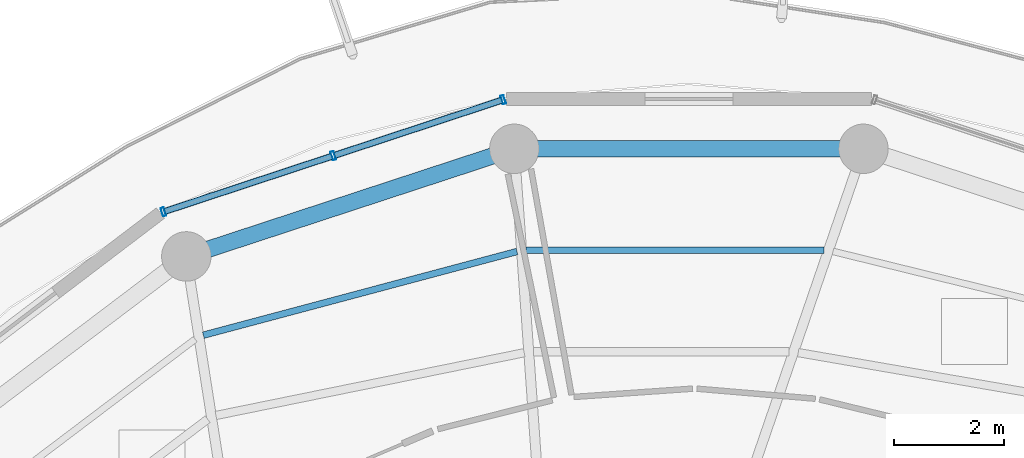
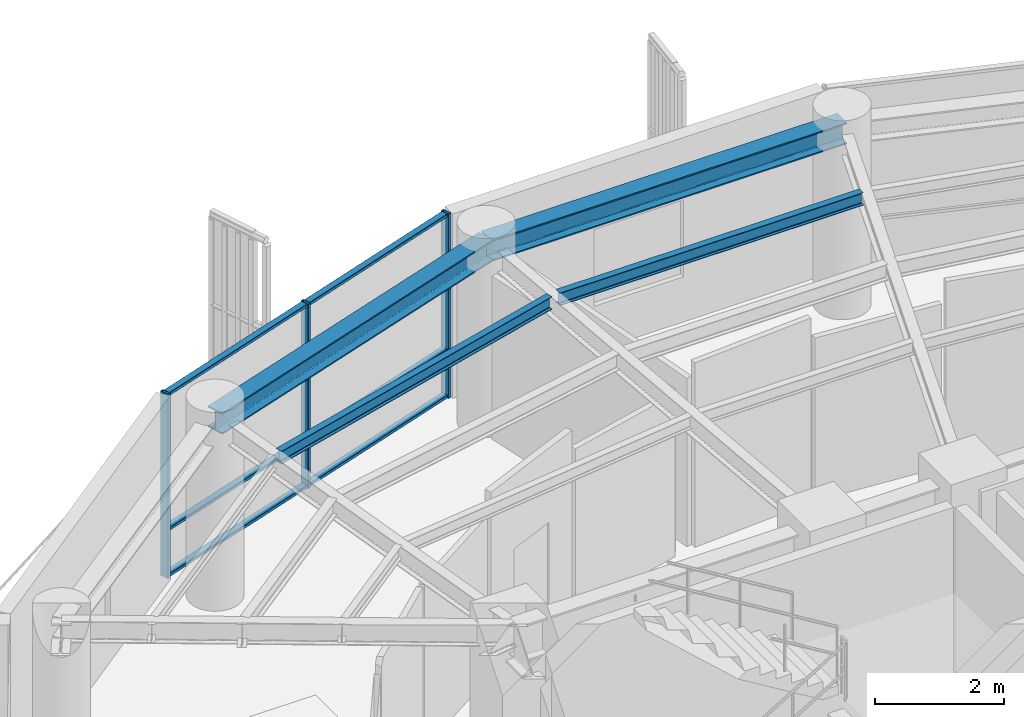
# One storey, part 13 of 23: 9 members, 4 beams, 1 element without a shape of its own.
"""IFC4 building model written with IfcOpenShell, lengths in metres."""

import ifcopenshell
import ifcopenshell.guid

model = None  # the IFC model being written
_history = None  # IfcOwnerHistory: only IFC2X3 demands one
_inside = {}  # id of a spatial element -> (the spatial element, [elements in it])
_under = {}  # id of a project, library or spatial element -> (it, [spatial elements below it])
_declared = {}  # id of a project -> (the project, [libraries it declares])
_typed = {}  # id of a type object -> (the type object, [elements of that type])
_made_of = {}  # id of a material, layer set ... -> (it, [elements and type objects made of it])


def new_model(schema):
    """Start an empty IFC model of exactly this schema.

    Asked for "IFC4X3", IfcOpenShell would pick the latest addendum, in which some entities
    have other attributes; the version numbers below select the first issue.
    IFC2X3 requires an IfcOwnerHistory on every rooted entity: one is made here for all.
    """
    global model, _history
    if schema == "IFC4X3":
        model = ifcopenshell.file(schema_version=(4, 3, 0, 0))
    else:
        model = ifcopenshell.file(schema=schema)
    _inside.clear()
    _under.clear()
    _declared.clear()
    _typed.clear()
    _made_of.clear()
    _history = None
    if model.schema == "IFC2X3":
        org = make("IfcOrganization", Name="unknown")
        user = make(
            "IfcPersonAndOrganization",
            ThePerson=make("IfcPerson", FamilyName="unknown"),
            TheOrganization=org,
        )
        app = make(
            "IfcApplication",
            ApplicationDeveloper=org,
            Version="unknown",
            ApplicationFullName="unknown",
            ApplicationIdentifier="unknown",
        )
        _history = make(
            "IfcOwnerHistory",
            OwningUser=user,
            OwningApplication=app,
            ChangeAction="ADDED",
            CreationDate=0,
        )
    return model


def make(cls, **values):
    """One entity of the class cls with the attributes given. An attribute that is None is left unset."""
    return model.create_entity(
        cls, **{name: value for name, value in values.items() if value is not None}
    )


def rooted(cls, **values):
    """An entity with a GlobalId (a new one), such as an element, a storey or a relation."""
    return make(cls, GlobalId=ifcopenshell.guid.new(), OwnerHistory=_history, **values)


def si_unit(unit_type, name, prefix=None):
    """IfcSIUnit, for example si_unit("LENGTHUNIT", "METRE", prefix="MILLI")."""
    return make("IfcSIUnit", UnitType=unit_type, Prefix=prefix, Name=name)


def assignment(units):
    """IfcUnitAssignment: the units of a project."""
    return None if units is None else make("IfcUnitAssignment", Units=units)


def point(xyz):
    """IfcCartesianPoint."""
    return None if xyz is None else make("IfcCartesianPoint", Coordinates=xyz)


def direction(xyz):
    """IfcDirection."""
    return None if xyz is None else make("IfcDirection", DirectionRatios=xyz)


def frame(location, z_axis=None, x_axis=None):
    """IfcAxis2Placement3D, a coordinate frame: its origin and axes. An axis left out is left unset."""
    return make(
        "IfcAxis2Placement3D",
        Location=point(location),
        Axis=direction(z_axis),
        RefDirection=direction(x_axis),
    )


def frame_2d(location, x_axis=None):
    """IfcAxis2Placement2D, a coordinate frame in the plane: its origin and x axis."""
    return make(
        "IfcAxis2Placement2D", Location=point(location), RefDirection=direction(x_axis)
    )


def origin():
    """The frame at (0, 0, 0) with its axes left unset."""
    return frame((0.0, 0.0, 0.0))


def origin_2d():
    """The frame at (0, 0) in the plane with its x axis left unset."""
    return frame_2d((0.0, 0.0))


def place(relative_to, where):
    """IfcLocalPlacement: puts the frame where relative to a parent placement (None: the world)."""
    return make(
        "IfcLocalPlacement", PlacementRelTo=relative_to, RelativePlacement=where
    )


def context(
    kind, dimensions, precision=None, world=None, true_north=None, identifier=None
):
    """IfcGeometricRepresentationContext, for example the 3D "Model" context."""
    return make(
        "IfcGeometricRepresentationContext",
        ContextIdentifier=identifier,
        ContextType=kind,
        CoordinateSpaceDimension=dimensions,
        Precision=precision,
        WorldCoordinateSystem=world,
        TrueNorth=true_north,
    )


def subcontext(parent, identifier, kind, view, scale=None):
    """IfcGeometricRepresentationSubContext, for example "Body" below "Model"."""
    return make(
        "IfcGeometricRepresentationSubContext",
        ContextIdentifier=identifier,
        ContextType=kind,
        ParentContext=parent,
        TargetScale=scale,
        TargetView=view,
    )


def project(units=None, contexts=None):
    """IfcProject with its units and contexts."""
    return rooted(
        "IfcProject",
        Name="project",
        RepresentationContexts=contexts,
        UnitsInContext=assignment(units),
    )


def spatial(cls, under=None, at=None, **own):
    """A site, building, storey or space (cls), placed at a placement, below another one or the project."""
    s = rooted(cls, ObjectPlacement=at, **own)
    if under is not None:
        _under.setdefault(under.id(), (under, []))[1].append(s)
    return s


def profile(cls, at=None, kind="AREA", **sizes):
    """A parametric profile (cls). Its sizes go by their IFC names, for example OverallWidth=200.0."""
    return make(cls, ProfileType=kind, Position=at, **sizes)


def hollow_rectangle(**sizes):
    """IfcRectangleHollowProfileDef."""
    return profile("IfcRectangleHollowProfileDef", **sizes)


def i_section(**sizes):
    """IfcIShapeProfileDef."""
    return profile("IfcIShapeProfileDef", **sizes)


def extrude(swept, where, along, depth):
    """IfcExtrudedAreaSolid: the profile swept, set in the frame where, extruded along a direction by depth."""
    return make(
        "IfcExtrudedAreaSolid",
        SweptArea=swept,
        Position=where,
        ExtrudedDirection=direction(along),
        Depth=depth,
    )


def shape(context_of_items, identifier, shape_type, items):
    """IfcShapeRepresentation: the items that make up one representation, for example the "Body"."""
    return make(
        "IfcShapeRepresentation",
        ContextOfItems=context_of_items,
        RepresentationIdentifier=identifier,
        RepresentationType=shape_type,
        Items=items,
    )


def material(Name=None, Category=None):
    """IfcMaterial."""
    return make("IfcMaterial", Name=Name, Category=Category)


def layer(
    of_material, thickness, ventilated=None, Name=None, Category=None, Priority=None
):
    """IfcMaterialLayer: one layer of a wall or slab, of a material (None: an air gap)."""
    return make(
        "IfcMaterialLayer",
        Material=of_material,
        LayerThickness=thickness,
        IsVentilated=ventilated,
        Name=Name,
        Category=Category,
        Priority=Priority,
    )


def layer_set(layers, Name=None):
    """IfcMaterialLayerSet."""
    return make("IfcMaterialLayerSet", MaterialLayers=layers, LayerSetName=Name)


def material_profile(
    of_material, cross_section, Name=None, Category=None, Priority=None
):
    """IfcMaterialProfile: a cross section and its material."""
    return make(
        "IfcMaterialProfile",
        Name=Name,
        Material=of_material,
        Profile=cross_section,
        Priority=Priority,
        Category=Category,
    )


def profile_set(profiles, Name=None, composite=None):
    """IfcMaterialProfileSet."""
    return make(
        "IfcMaterialProfileSet",
        Name=Name,
        MaterialProfiles=profiles,
        CompositeProfile=composite,
    )


def made_of(thing, what):
    """Note that an element or type object is made of a material, layer set ...; save() writes the relation."""
    if what is not None:
        _made_of.setdefault(what.id(), (what, []))[1].append(thing)
    return thing


def type_object(cls, material=None, **own):
    """A type object (cls), such as IfcWallType, which elements share."""
    return made_of(rooted(cls, **own), material)


def element(
    cls,
    number,
    at=None,
    inside=None,
    cuts=None,
    type_object=None,
    material=None,
    context=None,
    identifier="Body",
    shape_type=None,
    held_by="IfcProductDefinitionShape",
    body=None,
    shapes=None,
    **own,
):
    """One element of the class cls, such as IfcWall. Its Tag is "e" and its number.

    at: its placement. inside: the storey or other place that contains it. cuts: it is an
    opening in that element (IfcRelVoidsElement). A single representation is given by context,
    identifier, shape_type and body (its items); several are given by shapes. held_by: the class
    of the entity that holds the representations. save() writes the other relations.
    """
    e = rooted(cls, Tag="e%d" % number, ObjectPlacement=at, **own)
    if body is not None:
        shapes = [shape(context, identifier, shape_type, body)]
    if shapes is not None:
        e.Representation = make(held_by, Representations=shapes)
    if inside is not None:
        _inside.setdefault(inside.id(), (inside, []))[1].append(e)
    if cuts is not None:
        rooted(
            "IfcRelVoidsElement", RelatingBuildingElement=cuts, RelatedOpeningElement=e
        )
    if type_object is not None:
        _typed.setdefault(type_object.id(), (type_object, []))[1].append(e)
    return made_of(e, material)


def aggregate(whole, parts):
    """IfcRelAggregates: a whole, such as a stair, and the parts it consists of."""
    return rooted("IfcRelAggregates", RelatingObject=whole, RelatedObjects=parts)


def save(model, path):
    """Write the relations noted so far, then the file.

    IfcRelAggregates (storeys below a building ...), IfcRelContainedInSpatialStructure (elements
    in a storey), IfcRelDefinesByType, IfcRelAssociatesMaterial and IfcRelDeclares: one each for
    every whole, place, type object, material and project.
    """
    for whole, parts in _under.values():
        aggregate(whole, parts)
    for where, things in _inside.values():
        rooted(
            "IfcRelContainedInSpatialStructure",
            RelatedElements=things,
            RelatingStructure=where,
        )
    for kind, things in _typed.values():
        rooted("IfcRelDefinesByType", RelatedObjects=things, RelatingType=kind)
    for what, things in _made_of.values():
        rooted("IfcRelAssociatesMaterial", RelatedObjects=things, RelatingMaterial=what)
    for by, libraries in _declared.values():
        rooted("IfcRelDeclares", RelatingContext=by, RelatedDefinitions=libraries)
    model.write(path)


model = new_model("IFC4")

# Units and contexts
model_context = context("Model", 3, precision=1e-05, world=origin(), true_north=direction((0.0, 1.0)))
body_context = subcontext(model_context, "Body", "Model", "MODEL_VIEW")
ifc_project = project(units=[si_unit("LENGTHUNIT", "METRE"), si_unit("AREAUNIT", "SQUARE_METRE"), si_unit("VOLUMEUNIT", "CUBIC_METRE"), si_unit("PLANEANGLEUNIT", "RADIAN"), si_unit("MASSUNIT", "GRAM", prefix="KILO")], contexts=[model_context])

# Site, building, storey
site_placement = place(None, origin())
site = spatial("IfcSite", under=ifc_project, at=site_placement, CompositionType="ELEMENT")
building_placement = place(site_placement, origin())
building = spatial("IfcBuilding", under=site, at=building_placement, Name="Kelanora Arch Commons", CompositionType="ELEMENT")
storey_placement = place(building_placement, frame((0.0, 0.0, 282.449951171875)))
storey = spatial("IfcBuildingStorey", under=building, at=storey_placement, Name="L72", CompositionType="ELEMENT", Elevation=282.449951171875)

# Beams
ifc_material_1 = material(Name="Steel S355", Category="steel")
ifc_material_profile_1 = material_profile(ifc_material_1, i_section(OverallWidth=0.1201171875, OverallDepth=0.239990234375, WebThickness=0.006103515625, FlangeThickness=0.009765625, FilletRadius=0.014892578125, at=origin_2d()), Name="IPE240")
ifc_profile_set_1 = profile_set([ifc_material_profile_1], Name="Steel S355")
beam_type_1 = type_object("IfcBeamType", Name="BM-JST-02", PredefinedType="JOIST", material=ifc_profile_set_1)
beam_1_placement = place(storey_placement, frame((76.454345703125, 72.3837890625, 3.3701171875), z_axis=(-1.0, 0.0, 0.0), x_axis=(0.0, -1.0, 0.0)))
element("IfcBeam", 1, at=beam_1_placement, inside=storey, type_object=beam_type_1, Name="Secondary Chord Joist BJC-08 L72", PredefinedType="JOIST", context=body_context, shape_type="SweptSolid", body=[
    extrude(i_section(OverallWidth=0.1201171875, OverallDepth=0.239990234375, WebThickness=0.006103515625, FlangeThickness=0.009765625, FilletRadius=0.014892578125, at=origin_2d()), origin(), (0.0, 0.0, 1.0), 5.412841796875),
])
beam_2_placement = place(storey_placement, frame((70.87451171875, 72.36181640625, 3.3701171875), z_axis=(-0.966190312964, -0.257829942278, 0.0), x_axis=(0.257829942278, -0.966190312964, 0.0)))
element("IfcBeam", 2, at=beam_2_placement, inside=storey, type_object=beam_type_1, Name="Secondary Chord Joist BJC-10 L72", PredefinedType="JOIST", context=body_context, shape_type="SweptSolid", body=[
    extrude(i_section(OverallWidth=0.1201171875, OverallDepth=0.239990234375, WebThickness=0.006103515625, FlangeThickness=0.009765625, FilletRadius=0.014892578125, at=origin_2d()), origin(), (0.0, 0.0, 1.0), 5.904052734375),
])
ifc_material_profile_2 = material_profile(ifc_material_1, i_section(OverallWidth=0.300048828125, OverallDepth=0.39990234375, WebThickness=0.013427734375, FlangeThickness=0.02392578125, FilletRadius=0.027099609375, at=origin_2d()), Name="HEB400")
ifc_profile_set_2 = profile_set([ifc_material_profile_2], Name="Steel S355")
beam_type_2 = type_object("IfcBeamType", Name="BM-SPN-Z4", PredefinedType="SPANDREL", material=ifc_profile_set_2)
beam_3_placement = place(storey_placement, frame((77.17431640625, 74.2294921875, 3.2900390625), z_axis=(-1.0, 0.0, 0.0), x_axis=(0.0, -1.0, 0.0)))
element("IfcBeam", 3, at=beam_3_placement, inside=storey, type_object=beam_type_2, Name="Perimeter Spandrel Beam BS-08 L72", PredefinedType="SPANDREL", context=body_context, shape_type="SweptSolid", body=[
    extrude(i_section(OverallWidth=0.300048828125, OverallDepth=0.39990234375, WebThickness=0.013427734375, FlangeThickness=0.02392578125, FilletRadius=0.027099609375, at=origin_2d()), origin(), (0.0, 0.0, 1.0), 6.3486328125),
])
beam_4_placement = place(storey_placement, frame((70.82568359375, 74.2294921875, 3.2900390625), z_axis=(-0.950165923039, -0.311744636996, 0.0), x_axis=(0.311744636996, -0.950165923039, 0.0)))
element("IfcBeam", 4, at=beam_4_placement, inside=storey, type_object=beam_type_2, Name="Perimeter Spandrel Beam BS-10 L72", PredefinedType="SPANDREL", context=body_context, shape_type="SweptSolid", body=[
    extrude(i_section(OverallWidth=0.300048828125, OverallDepth=0.39990234375, WebThickness=0.013427734375, FlangeThickness=0.02392578125, FilletRadius=0.027099609375, at=origin_2d()), origin(), (0.0, 0.0, 1.0), 6.278564453125),
])

# Curtain wall, members
ifc_material_2 = material(Name="Terracotta ceramic-fritted low-E glass and aluminium", Category="masonry")
ifc_layer = layer(ifc_material_2, 0.18994140625)
ifc_layer_set = layer_set([ifc_layer], Name="Terracotta ceramic-fritted low-E glass and aluminium")
curtain_wall_type = type_object("IfcCurtainWallType", Name="CW-SYS-03", PredefinedType="NOTDEFINED", material=ifc_layer_set)
curtain_wall_placement = place(storey_placement, origin())
curtain_wall = element("IfcCurtainWall", 5, at=curtain_wall_placement, inside=storey, type_object=curtain_wall_type, Name="Unitised Curtain Wall L72-B05", PredefinedType="NOTDEFINED")
ifc_material_3 = material(Name="Powder-coated aluminium terracotta", Category="masonry")
ifc_material_profile_3 = material_profile(ifc_material_3, hollow_rectangle(XDim=0.159912109375, YDim=0.06005859375, WallThickness=0.0048828125, InnerFilletRadius=0.0048828125, OuterFilletRadius=0.010009765625, at=origin_2d()), Name="CWM160x60")
ifc_profile_set_3 = profile_set([ifc_material_profile_3], Name="Powder-coated aluminium terracotta")
member_type_1 = type_object("IfcMemberType", Name="CWM-STD", PredefinedType="MULLION", material=ifc_profile_set_3)
member_1_placement = place(storey_placement, frame((70.623291015625, 75.12158203125, 0.0), z_axis=(0.0, 0.0, 1.0), x_axis=(0.313252785344, -0.949669780752, 0.0)))
member_1 = element("IfcMember", 6, at=member_1_placement, type_object=member_type_1, Name="CW-03 mullion 1", PredefinedType="MULLION", context=body_context, shape_type="SweptSolid", body=[
    extrude(hollow_rectangle(XDim=0.159912109375, YDim=0.06005859375, WallThickness=0.0048828125, InnerFilletRadius=0.0048828125, OuterFilletRadius=0.010009765625, at=origin_2d()), origin(), (0.0, 0.0, 1.0), 3.47509765625),
])
member_2_placement = place(storey_placement, frame((67.532958984375, 74.102294921875, 0.0), z_axis=(0.0, 0.0, 1.0), x_axis=(0.313252785344, -0.949669780752, 0.0)))
member_2 = element("IfcMember", 7, at=member_2_placement, type_object=member_type_1, Name="CW-03 mullion 2", PredefinedType="MULLION", context=body_context, shape_type="SweptSolid", body=[
    extrude(hollow_rectangle(XDim=0.159912109375, YDim=0.06005859375, WallThickness=0.0048828125, InnerFilletRadius=0.0048828125, OuterFilletRadius=0.010009765625, at=origin_2d()), origin(), (0.0, 0.0, 1.0), 3.47509765625),
])
member_3_placement = place(storey_placement, frame((64.442626953125, 73.0830078125, 0.0), z_axis=(0.0, 0.0, 1.0), x_axis=(0.313252785344, -0.949669780752, 0.0)))
member_3 = element("IfcMember", 8, at=member_3_placement, type_object=member_type_1, Name="CW-03 mullion 3", PredefinedType="MULLION", context=body_context, shape_type="SweptSolid", body=[
    extrude(hollow_rectangle(XDim=0.159912109375, YDim=0.06005859375, WallThickness=0.0048828125, InnerFilletRadius=0.0048828125, OuterFilletRadius=0.010009765625, at=origin_2d()), origin(), (0.0, 0.0, 1.0), 3.47509765625),
])
ifc_material_profile_4 = material_profile(ifc_material_3, hollow_rectangle(XDim=0.1201171875, YDim=0.06005859375, WallThickness=0.0048828125, InnerFilletRadius=0.0048828125, OuterFilletRadius=0.010009765625, at=origin_2d()), Name="CWT120x60")
ifc_profile_set_4 = profile_set([ifc_material_profile_4], Name="Powder-coated aluminium terracotta")
member_type_2 = type_object("IfcMemberType", Name="CWT-STD", PredefinedType="USERDEFINED", material=ifc_profile_set_4)
member_4_placement = place(storey_placement, frame((70.5947265625, 75.1123046875, 0.030029296875), z_axis=(-0.949649574195, -0.313314037719, 0.0), x_axis=(0.313314037719, -0.949649574195, 0.0)))
member_4 = element("IfcMember", 9, at=member_4_placement, type_object=member_type_2, Name="CW-03 transom 1.1", ObjectType="TRANSOM", PredefinedType="USERDEFINED", context=body_context, shape_type="SweptSolid", body=[
    extrude(hollow_rectangle(XDim=0.1201171875, YDim=0.06005859375, WallThickness=0.0048828125, InnerFilletRadius=0.0048828125, OuterFilletRadius=0.010009765625, at=origin_2d()), origin(), (0.0, 0.0, 1.0), 3.194091796875),
])
member_5_placement = place(storey_placement, frame((70.5947265625, 75.1123046875, 0.900146484375), z_axis=(-0.949649574195, -0.313314037719, 0.0), x_axis=(0.313314037719, -0.949649574195, 0.0)))
member_5 = element("IfcMember", 10, at=member_5_placement, type_object=member_type_2, Name="CW-03 transom 1.2", ObjectType="TRANSOM", PredefinedType="USERDEFINED", context=body_context, shape_type="SweptSolid", body=[
    extrude(hollow_rectangle(XDim=0.1201171875, YDim=0.06005859375, WallThickness=0.0048828125, InnerFilletRadius=0.0048828125, OuterFilletRadius=0.010009765625, at=origin_2d()), origin(), (0.0, 0.0, 1.0), 3.194091796875),
])
member_6_placement = place(storey_placement, frame((70.5947265625, 75.1123046875, 3.445068359375), z_axis=(-0.949649574195, -0.313314037719, 0.0), x_axis=(0.313314037719, -0.949649574195, 0.0)))
member_6 = element("IfcMember", 11, at=member_6_placement, type_object=member_type_2, Name="CW-03 transom 1.3", ObjectType="TRANSOM", PredefinedType="USERDEFINED", context=body_context, shape_type="SweptSolid", body=[
    extrude(hollow_rectangle(XDim=0.1201171875, YDim=0.06005859375, WallThickness=0.0048828125, InnerFilletRadius=0.0048828125, OuterFilletRadius=0.010009765625, at=origin_2d()), origin(), (0.0, 0.0, 1.0), 3.194091796875),
])
member_7_placement = place(storey_placement, frame((67.50439453125, 74.0927734375, 0.030029296875), z_axis=(-0.949672315102, -0.313245102003, 0.0), x_axis=(0.313245102003, -0.949672315102, 0.0)))
member_7 = element("IfcMember", 12, at=member_7_placement, type_object=member_type_2, Name="CW-03 transom 2.1", ObjectType="TRANSOM", PredefinedType="USERDEFINED", context=body_context, shape_type="SweptSolid", body=[
    extrude(hollow_rectangle(XDim=0.1201171875, YDim=0.06005859375, WallThickness=0.0048828125, InnerFilletRadius=0.0048828125, OuterFilletRadius=0.010009765625, at=origin_2d()), origin(), (0.0, 0.0, 1.0), 3.19384765625),
])
member_8_placement = place(storey_placement, frame((67.50439453125, 74.0927734375, 0.900146484375), z_axis=(-0.949672315102, -0.313245102003, 0.0), x_axis=(0.313245102003, -0.949672315102, 0.0)))
member_8 = element("IfcMember", 13, at=member_8_placement, type_object=member_type_2, Name="CW-03 transom 2.2", ObjectType="TRANSOM", PredefinedType="USERDEFINED", context=body_context, shape_type="SweptSolid", body=[
    extrude(hollow_rectangle(XDim=0.1201171875, YDim=0.06005859375, WallThickness=0.0048828125, InnerFilletRadius=0.0048828125, OuterFilletRadius=0.010009765625, at=origin_2d()), origin(), (0.0, 0.0, 1.0), 3.19384765625),
])
member_9_placement = place(storey_placement, frame((67.50439453125, 74.0927734375, 3.445068359375), z_axis=(-0.949672315102, -0.313245102003, 0.0), x_axis=(0.313245102003, -0.949672315102, 0.0)))
member_9 = element("IfcMember", 14, at=member_9_placement, type_object=member_type_2, Name="CW-03 transom 2.3", ObjectType="TRANSOM", PredefinedType="USERDEFINED", context=body_context, shape_type="SweptSolid", body=[
    extrude(hollow_rectangle(XDim=0.1201171875, YDim=0.06005859375, WallThickness=0.0048828125, InnerFilletRadius=0.0048828125, OuterFilletRadius=0.010009765625, at=origin_2d()), origin(), (0.0, 0.0, 1.0), 3.19384765625),
])
aggregate(curtain_wall, [member_1, member_2, member_3, member_4, member_5, member_6, member_7, member_8, member_9])

save(model, "model.ifc")
